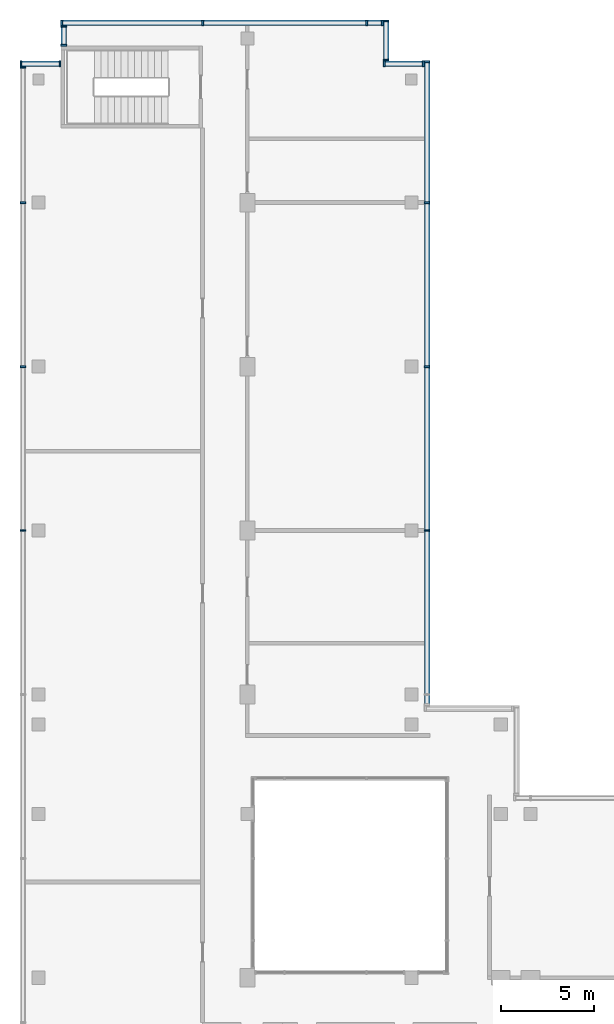
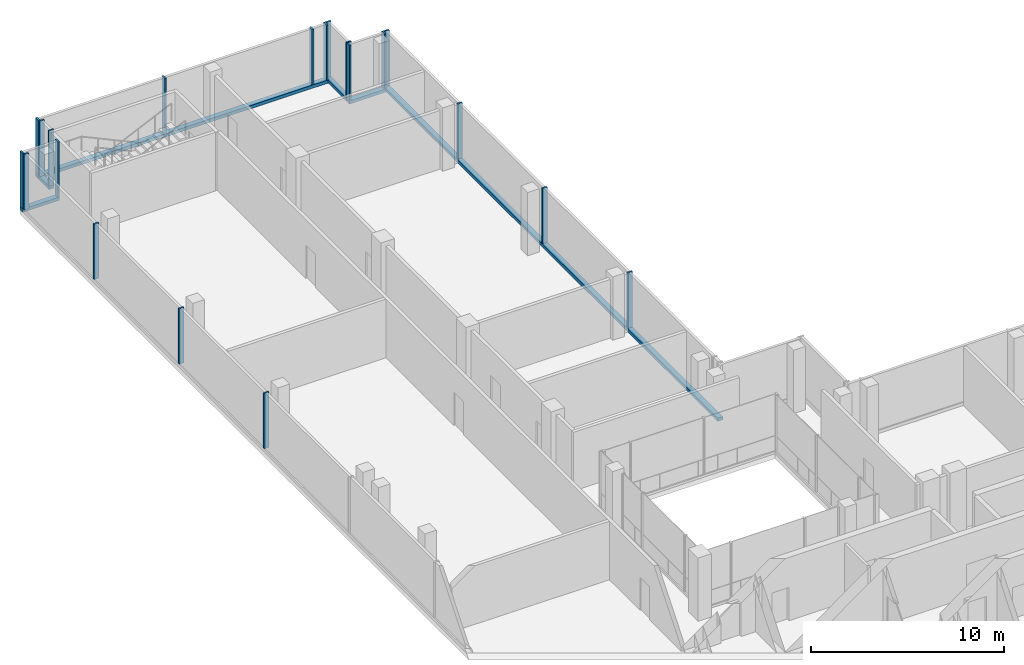
# One storey, part 6 of 11: 26 members, 7 elements without a shape of their own.
"""IFC4 building model written with IfcOpenShell, lengths in metres."""

from ifc_helpers import new_model, si_unit, direction, frame, origin, origin_2d, place, context, subcontext, project, spatial, rectangle, extrude, source, transform, mapped, material, material_profile, profile_set, type_object, element, aggregate, save


model = new_model("IFC4")

# Units and contexts
model_context = context("Model", 3, precision=1e-05, world=origin(), true_north=direction((0.0, 1.0)))
body_context = subcontext(model_context, "Body", "Model", "MODEL_VIEW")
ifc_project = project(units=[si_unit("LENGTHUNIT", "METRE"), si_unit("AREAUNIT", "SQUARE_METRE"), si_unit("VOLUMEUNIT", "CUBIC_METRE"), si_unit("PLANEANGLEUNIT", "RADIAN"), si_unit("MASSUNIT", "GRAM", prefix="KILO")], contexts=[model_context])

# Site, building, storey
site_placement = place(None, origin())
site = spatial("IfcSite", under=ifc_project, at=site_placement, CompositionType="ELEMENT")
building_placement = place(site_placement, origin())
building = spatial("IfcBuilding", under=site, at=building_placement, Name="Kemantara Hotel Tower", CompositionType="ELEMENT")
storey_placement = place(building_placement, frame((0.0, 0.0, 322.199951171875)))
storey = spatial("IfcBuildingStorey", under=building, at=storey_placement, Name="L81", CompositionType="ELEMENT", Elevation=322.199951171875)

# Curtain wall, member
ifc_material = material(Name="Aluminium 6063-T6 bronze anodised", Category="aluminium")
curtain_wall_type = type_object("IfcCurtainWallType", Name="CROWN LOUVRE SCREEN WALL", PredefinedType="USERDEFINED", material=ifc_material)
curtain_wall_1_placement = place(storey_placement, origin())
curtain_wall_1 = element("IfcCurtainWall", 1, at=curtain_wall_1_placement, inside=storey, type_object=curtain_wall_type, Name="CW7 L81 CRN-R02-1", ObjectType="CROWN LOUVRE SCREEN WALL", PredefinedType="USERDEFINED")
ifc_material_profile_1 = material_profile(ifc_material, rectangle(XDim=0.300048828125, YDim=0.199951171875, at=origin_2d()), Name="CROWN LOUVRE SCREEN WALL TRANSOM")
ifc_profile_set_1 = profile_set([ifc_material_profile_1], Name="Aluminium 6063-T6 bronze anodised")
member_type_1 = type_object("IfcMemberType", Name="CROWN LOUVRE SCREEN WALL TRANSOM", PredefinedType="USERDEFINED", material=ifc_profile_set_1)
member_1_placement = place(storey_placement, frame((19.5, 63.449951171875, 0.10009765625), z_axis=(-1.0, 0.0, 0.0), x_axis=(0.0, -1.0, 0.0)))
member_1 = element("IfcMember", 2, at=member_1_placement, type_object=member_type_1, Name="CW7 sill transom CRN-R02-1", ObjectType="TRANSOM", PredefinedType="USERDEFINED", context=body_context, shape_type="SweptSolid", body=[
    extrude(rectangle(XDim=0.300048828125, YDim=0.199951171875, at=origin_2d()), origin(), (0.0, 0.0, 1.0), 17.300048828125),
])

curtain_wall_2_placement = place(storey_placement, origin())
curtain_wall_2 = element("IfcCurtainWall", 3, at=curtain_wall_2_placement, inside=storey, type_object=curtain_wall_type, Name="CW7 L81 CRN-R15-1", ObjectType="CROWN LOUVRE SCREEN WALL", PredefinedType="USERDEFINED")
member_2_placement = place(storey_placement, frame((21.85009765625, 26.800048828125, 0.10009765625), z_axis=(0.0, 1.0, 0.0), x_axis=(-1.0, 0.0, 0.0)))
member_2 = element("IfcMember", 4, at=member_2_placement, type_object=member_type_1, Name="CW7 sill transom CRN-R15-1", ObjectType="TRANSOM", PredefinedType="USERDEFINED", context=body_context, shape_type="SweptSolid", body=[
    extrude(rectangle(XDim=0.300048828125, YDim=0.199951171875, at=origin_2d()), origin(), (0.0, 0.0, 1.0), 34.599853515625),
])

curtain_wall_3_placement = place(storey_placement, origin())
curtain_wall_3 = element("IfcCurtainWall", 5, at=curtain_wall_3_placement, inside=storey, type_object=curtain_wall_type, Name="CW7 L81 CRN-R00-1", ObjectType="CROWN LOUVRE SCREEN WALL", PredefinedType="USERDEFINED")
member_3_placement = place(storey_placement, frame((21.699951171875, 61.25, 0.10009765625), z_axis=(-1.0, 0.0, 0.0), x_axis=(0.0, -1.0, 0.0)))
member_3 = element("IfcMember", 6, at=member_3_placement, type_object=member_type_1, Name="CW7 sill transom CRN-R00-1", ObjectType="TRANSOM", PredefinedType="USERDEFINED", context=body_context, shape_type="SweptSolid", body=[
    extrude(rectangle(XDim=0.300048828125, YDim=0.199951171875, at=origin_2d()), origin(), (0.0, 0.0, 1.0), 2.199951171875),
])

curtain_wall_4_placement = place(storey_placement, origin())
curtain_wall_4 = element("IfcCurtainWall", 7, at=curtain_wall_4_placement, inside=storey, type_object=curtain_wall_type, Name="CW7 L81 CRN-R01-1", ObjectType="CROWN LOUVRE SCREEN WALL", PredefinedType="USERDEFINED")
member_4_placement = place(storey_placement, frame((19.64990234375, 61.39990234375, 0.10009765625), z_axis=(0.0, 1.0, 0.0), x_axis=(-1.0, 0.0, 0.0)))
member_4 = element("IfcMember", 8, at=member_4_placement, type_object=member_type_1, Name="CW7 sill transom CRN-R01-1", ObjectType="TRANSOM", PredefinedType="USERDEFINED", context=body_context, shape_type="SweptSolid", body=[
    extrude(rectangle(XDim=0.300048828125, YDim=0.199951171875, at=origin_2d()), origin(), (0.0, 0.0, 1.0), 2.2001953125),
])

curtain_wall_5_placement = place(storey_placement, origin())
curtain_wall_5 = element("IfcCurtainWall", 9, at=curtain_wall_5_placement, inside=storey, type_object=curtain_wall_type, Name="CW7 L81 CRN-R03-1", ObjectType="CROWN LOUVRE SCREEN WALL", PredefinedType="USERDEFINED")
member_5_placement = place(storey_placement, frame((2.35009765625, 63.300048828125, 0.10009765625), z_axis=(0.0, -1.0, 0.0), x_axis=(1.0, 0.0, 0.0)))
member_5 = element("IfcMember", 10, at=member_5_placement, type_object=member_type_1, Name="CW7 sill transom CRN-R03-1", ObjectType="TRANSOM", PredefinedType="USERDEFINED", context=body_context, shape_type="SweptSolid", body=[
    extrude(rectangle(XDim=0.300048828125, YDim=0.199951171875, at=origin_2d()), origin(), (0.0, 0.0, 1.0), 1.10009765625),
])

curtain_wall_6_placement = place(storey_placement, origin())
curtain_wall_6 = element("IfcCurtainWall", 11, at=curtain_wall_6_placement, inside=storey, type_object=curtain_wall_type, Name="CW7 L81 CRN-R04-1", ObjectType="CROWN LOUVRE SCREEN WALL", PredefinedType="USERDEFINED")
member_6_placement = place(storey_placement, frame((2.199951171875, 61.25, 0.10009765625), z_axis=(-1.0, 0.0, 0.0), x_axis=(0.0, -1.0, 0.0)))
member_6 = element("IfcMember", 12, at=member_6_placement, type_object=member_type_1, Name="CW7 sill transom CRN-R04-1", ObjectType="TRANSOM", PredefinedType="USERDEFINED", context=body_context, shape_type="SweptSolid", body=[
    extrude(rectangle(XDim=0.300048828125, YDim=0.199951171875, at=origin_2d()), origin(), (0.0, 0.0, 1.0), 2.199951171875),
])

# Member
ifc_material_profile_2 = material_profile(ifc_material, rectangle(XDim=0.300048828125, YDim=0.10009765625, at=origin_2d()), Name="CROWN LOUVRE SCREEN WALL MULLION")
ifc_profile_set_2 = profile_set([ifc_material_profile_2], Name="Aluminium 6063-T6 bronze anodised")
member_type_2 = type_object("IfcMemberType", Name="CROWN LOUVRE SCREEN WALL MULLION", PredefinedType="MULLION", material=ifc_profile_set_2)
shared_shape = source(origin(), body_context, "Body", "SweptSolid", [
    extrude(rectangle(XDim=0.300048828125, YDim=0.10009765625, at=origin_2d()), origin(), (0.0, 0.0, 1.0), 3.5),
])
member_7_placement = place(storey_placement, frame((19.449951171875, 63.449951171875, 0.199951171875), z_axis=(0.0, 0.0, 1.0), x_axis=(0.0, -1.0, 0.0)))
member_7 = element("IfcMember", 13, at=member_7_placement, type_object=member_type_2, Name="CW7 mullion CRN-R02-1.1", PredefinedType="MULLION", context=body_context, shape_type="MappedRepresentation", body=[
    mapped(shared_shape, transform((0.0, 0.0, 0.0))),
])

member_8_placement = place(storey_placement, frame((18.60009765625, 63.449951171875, 0.199951171875), z_axis=(0.0, 0.0, 1.0), x_axis=(0.0, -1.0, 0.0)))
member_8 = element("IfcMember", 14, at=member_8_placement, type_object=member_type_2, Name="CW7 mullion CRN-R02-1.2", PredefinedType="MULLION", context=body_context, shape_type="MappedRepresentation", body=[
    mapped(shared_shape, transform((0.0, 0.0, 0.0))),
])

member_9_placement = place(storey_placement, frame((9.800048828125, 63.449951171875, 0.199951171875), z_axis=(0.0, 0.0, 1.0), x_axis=(0.0, -1.0, 0.0)))
member_9 = element("IfcMember", 15, at=member_9_placement, type_object=member_type_2, Name="CW7 mullion CRN-R02-1.3", PredefinedType="MULLION", context=body_context, shape_type="MappedRepresentation", body=[
    mapped(shared_shape, transform((0.0, 0.0, 0.0))),
])

member_10_placement = place(storey_placement, frame((2.25, 63.449951171875, 0.199951171875), z_axis=(0.0, 0.0, 1.0), x_axis=(0.0, -1.0, 0.0)))
member_10 = element("IfcMember", 16, at=member_10_placement, type_object=member_type_2, Name="CW7 mullion CRN-R02-1.4", PredefinedType="MULLION", context=body_context, shape_type="MappedRepresentation", body=[
    mapped(shared_shape, transform((0.0, 0.0, 0.0))),
])

aggregate(curtain_wall_1, [member_1, member_7, member_8, member_9, member_10])

# Curtain wall, members
curtain_wall_7_placement = place(storey_placement, origin())
curtain_wall_7 = element("IfcCurtainWall", 17, at=curtain_wall_7_placement, inside=storey, type_object=curtain_wall_type, Name="CW7 L81 CRN-R05-1", ObjectType="CROWN LOUVRE SCREEN WALL", PredefinedType="USERDEFINED")
member_11_placement = place(storey_placement, frame((0.14990234375, 61.050048828125, 0.199951171875), z_axis=(0.0, 0.0, 1.0), x_axis=(1.0, 0.0, 0.0)))
member_11 = element("IfcMember", 18, at=member_11_placement, type_object=member_type_2, Name="CW7 mullion CRN-R05-1.1", PredefinedType="MULLION", context=body_context, shape_type="MappedRepresentation", body=[
    mapped(shared_shape, transform((0.0, 0.0, 0.0))),
])
member_12_placement = place(storey_placement, frame((0.14990234375, 53.800048828125, 0.199951171875), z_axis=(0.0, 0.0, 1.0), x_axis=(1.0, 0.0, 0.0)))
member_12 = element("IfcMember", 19, at=member_12_placement, type_object=member_type_2, Name="CW7 mullion CRN-R05-1.2", PredefinedType="MULLION", context=body_context, shape_type="MappedRepresentation", body=[
    mapped(shared_shape, transform((0.0, 0.0, 0.0))),
])
member_13_placement = place(storey_placement, frame((0.14990234375, 45.0, 0.199951171875), z_axis=(0.0, 0.0, 1.0), x_axis=(1.0, 0.0, 0.0)))
member_13 = element("IfcMember", 20, at=member_13_placement, type_object=member_type_2, Name="CW7 mullion CRN-R05-1.3", PredefinedType="MULLION", context=body_context, shape_type="MappedRepresentation", body=[
    mapped(shared_shape, transform((0.0, 0.0, 0.0))),
])
member_14_placement = place(storey_placement, frame((0.14990234375, 36.199951171875, 0.199951171875), z_axis=(0.0, 0.0, 1.0), x_axis=(1.0, 0.0, 0.0)))
member_14 = element("IfcMember", 21, at=member_14_placement, type_object=member_type_2, Name="CW7 mullion CRN-R05-1.4", PredefinedType="MULLION", context=body_context, shape_type="MappedRepresentation", body=[
    mapped(shared_shape, transform((0.0, 0.0, 0.0))),
])
aggregate(curtain_wall_7, [member_11, member_12, member_13, member_14])

# Member
member_15_placement = place(storey_placement, frame((21.85009765625, 36.199951171875, 0.199951171875), z_axis=(0.0, 0.0, 1.0), x_axis=(-1.0, 0.0, 0.0)))
member_15 = element("IfcMember", 22, at=member_15_placement, type_object=member_type_2, Name="CW7 mullion CRN-R15-1.3", PredefinedType="MULLION", context=body_context, shape_type="MappedRepresentation", body=[
    mapped(shared_shape, transform((0.0, 0.0, 0.0))),
])

member_16_placement = place(storey_placement, frame((21.85009765625, 45.0, 0.199951171875), z_axis=(0.0, 0.0, 1.0), x_axis=(-1.0, 0.0, 0.0)))
member_16 = element("IfcMember", 23, at=member_16_placement, type_object=member_type_2, Name="CW7 mullion CRN-R15-1.4", PredefinedType="MULLION", context=body_context, shape_type="MappedRepresentation", body=[
    mapped(shared_shape, transform((0.0, 0.0, 0.0))),
])

member_17_placement = place(storey_placement, frame((21.85009765625, 53.800048828125, 0.199951171875), z_axis=(0.0, 0.0, 1.0), x_axis=(-1.0, 0.0, 0.0)))
member_17 = element("IfcMember", 24, at=member_17_placement, type_object=member_type_2, Name="CW7 mullion CRN-R15-1.5", PredefinedType="MULLION", context=body_context, shape_type="MappedRepresentation", body=[
    mapped(shared_shape, transform((0.0, 0.0, 0.0))),
])

member_18_placement = place(storey_placement, frame((21.85009765625, 61.35009765625, 0.199951171875), z_axis=(0.0, 0.0, 1.0), x_axis=(-1.0, 0.0, 0.0)))
member_18 = element("IfcMember", 25, at=member_18_placement, type_object=member_type_2, Name="CW7 mullion CRN-R15-1.6", PredefinedType="MULLION", context=body_context, shape_type="MappedRepresentation", body=[
    mapped(shared_shape, transform((0.0, 0.0, 0.0))),
])

aggregate(curtain_wall_2, [member_2, member_15, member_16, member_17, member_18])

member_19_placement = place(storey_placement, frame((21.64990234375, 61.25, 0.199951171875), z_axis=(0.0, 0.0, 1.0), x_axis=(0.0, -1.0, 0.0)))
member_19 = element("IfcMember", 26, at=member_19_placement, type_object=member_type_2, Name="CW7 mullion CRN-R00-1.1", PredefinedType="MULLION", context=body_context, shape_type="MappedRepresentation", body=[
    mapped(shared_shape, transform((0.0, 0.0, 0.0))),
])

member_20_placement = place(storey_placement, frame((19.550048828125, 61.25, 0.199951171875), z_axis=(0.0, 0.0, 1.0), x_axis=(0.0, -1.0, 0.0)))
member_20 = element("IfcMember", 27, at=member_20_placement, type_object=member_type_2, Name="CW7 mullion CRN-R00-1.2", PredefinedType="MULLION", context=body_context, shape_type="MappedRepresentation", body=[
    mapped(shared_shape, transform((0.0, 0.0, 0.0))),
])

aggregate(curtain_wall_3, [member_3, member_19, member_20])

member_21_placement = place(storey_placement, frame((19.64990234375, 61.449951171875, 0.199951171875), z_axis=(0.0, 0.0, 1.0), x_axis=(-1.0, 0.0, 0.0)))
member_21 = element("IfcMember", 28, at=member_21_placement, type_object=member_type_2, Name="CW7 mullion CRN-R01-1.1", PredefinedType="MULLION", context=body_context, shape_type="MappedRepresentation", body=[
    mapped(shared_shape, transform((0.0, 0.0, 0.0))),
])

member_22_placement = place(storey_placement, frame((19.64990234375, 63.550048828125, 0.199951171875), z_axis=(0.0, 0.0, 1.0), x_axis=(-1.0, 0.0, 0.0)))
member_22 = element("IfcMember", 29, at=member_22_placement, type_object=member_type_2, Name="CW7 mullion CRN-R01-1.2", PredefinedType="MULLION", context=body_context, shape_type="MappedRepresentation", body=[
    mapped(shared_shape, transform((0.0, 0.0, 0.0))),
])

aggregate(curtain_wall_4, [member_4, member_21, member_22])

member_23_placement = place(storey_placement, frame((2.35009765625, 63.25, 0.199951171875), z_axis=(0.0, 0.0, 1.0), x_axis=(1.0, 0.0, 0.0)))
member_23 = element("IfcMember", 30, at=member_23_placement, type_object=member_type_2, Name="CW7 mullion CRN-R03-1.1", PredefinedType="MULLION", context=body_context, shape_type="MappedRepresentation", body=[
    mapped(shared_shape, transform((0.0, 0.0, 0.0))),
])

member_24_placement = place(storey_placement, frame((2.35009765625, 62.25, 0.199951171875), z_axis=(0.0, 0.0, 1.0), x_axis=(1.0, 0.0, 0.0)))
member_24 = element("IfcMember", 31, at=member_24_placement, type_object=member_type_2, Name="CW7 mullion CRN-R03-1.2", PredefinedType="MULLION", context=body_context, shape_type="MappedRepresentation", body=[
    mapped(shared_shape, transform((0.0, 0.0, 0.0))),
])

aggregate(curtain_wall_5, [member_5, member_23, member_24])

member_25_placement = place(storey_placement, frame((2.14990234375, 61.25, 0.199951171875), z_axis=(0.0, 0.0, 1.0), x_axis=(0.0, -1.0, 0.0)))
member_25 = element("IfcMember", 32, at=member_25_placement, type_object=member_type_2, Name="CW7 mullion CRN-R04-1.1", PredefinedType="MULLION", context=body_context, shape_type="MappedRepresentation", body=[
    mapped(shared_shape, transform((0.0, 0.0, 0.0))),
])

member_26_placement = place(storey_placement, frame((0.050048828125, 61.25, 0.199951171875), z_axis=(0.0, 0.0, 1.0), x_axis=(0.0, -1.0, 0.0)))
member_26 = element("IfcMember", 33, at=member_26_placement, type_object=member_type_2, Name="CW7 mullion CRN-R04-1.2", PredefinedType="MULLION", context=body_context, shape_type="MappedRepresentation", body=[
    mapped(shared_shape, transform((0.0, 0.0, 0.0))),
])

aggregate(curtain_wall_6, [member_6, member_25, member_26])

save(model, "model.ifc")
